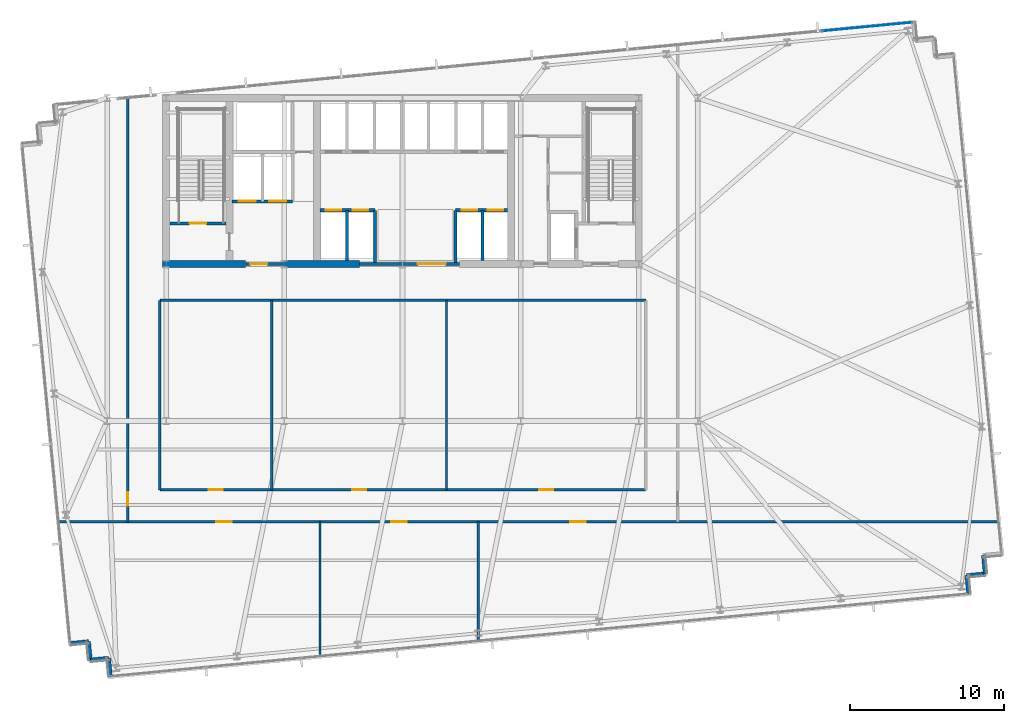
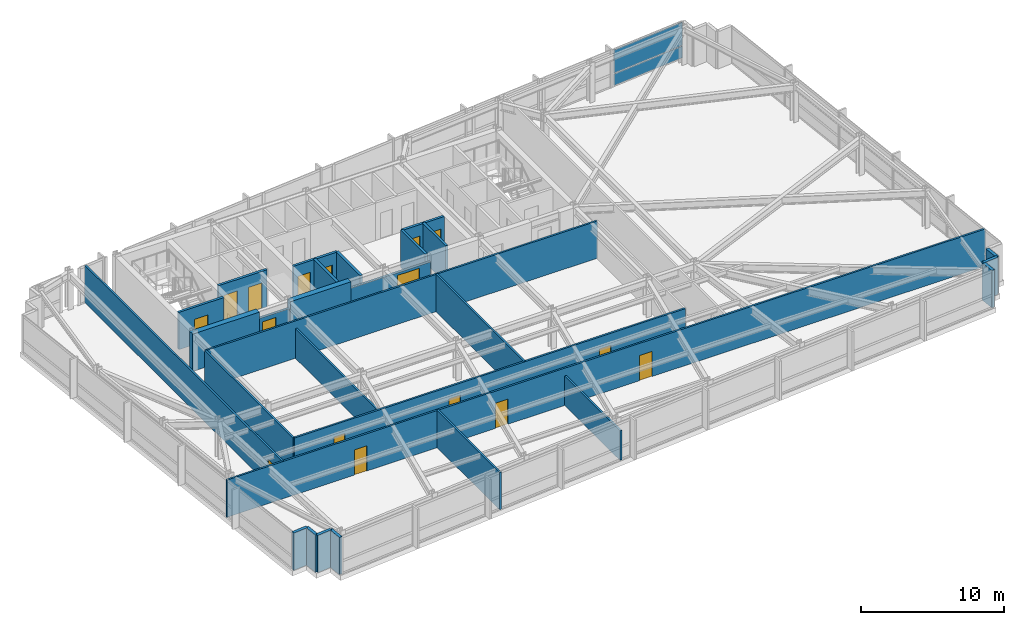
# One storey, part 25 of 33: 28 walls, 16 doors, 2 plates, 16 openings, 1 element without a shape of its own.
"""IFC4 building model written with IfcOpenShell, lengths in metres."""

from ifc_helpers import new_model, si_unit, direction, frame, frame_2d, origin, origin_2d, place, context, subcontext, project, spatial, rectangle, extrude, material, layer, layer_set, type_object, element, fill, aggregate, save


model = new_model("IFC4")

# Units and contexts
model_context = context("Model", 3, precision=1e-05, world=origin(), true_north=direction((0.0, 1.0)))
body_context = subcontext(model_context, "Body", "Model", "MODEL_VIEW")
ifc_project = project(units=[si_unit("LENGTHUNIT", "METRE"), si_unit("AREAUNIT", "SQUARE_METRE"), si_unit("VOLUMEUNIT", "CUBIC_METRE"), si_unit("PLANEANGLEUNIT", "RADIAN"), si_unit("MASSUNIT", "GRAM", prefix="KILO")], contexts=[model_context])

# Site, building, storey
site_placement = place(None, origin())
site = spatial("IfcSite", under=ifc_project, at=site_placement, CompositionType="ELEMENT")
building_placement = place(site_placement, origin())
building = spatial("IfcBuilding", under=site, at=building_placement, Name="Yelkora Congress Tower", CompositionType="ELEMENT")
storey_placement = place(building_placement, frame((0.0, 0.0, 89.699951171875)))
storey = spatial("IfcBuildingStorey", under=building, at=storey_placement, Name="L23", CompositionType="ELEMENT", Elevation=89.699951171875)

# Curtain wall, plates
ifc_material_1 = material(Name="Anodised aluminium and insulated glass", Category="aluminium")
curtain_wall_type = type_object("IfcCurtainWallType", Name="CW-SYS-SKY", PredefinedType="NOTDEFINED", material=ifc_material_1)
curtain_wall_placement = place(storey_placement, origin())
curtain_wall = element("IfcCurtainWall", 1, at=curtain_wall_placement, inside=storey, type_object=curtain_wall_type, Name="L23 Unitised Curtain Wall 10 (3)", PredefinedType="NOTDEFINED")
ifc_material_2 = material(Name="Structural laminated sky-lobby glass", Category="glass")
ifc_layer_1 = layer(ifc_material_2, 0.048095703125)
ifc_layer_set_1 = layer_set([ifc_layer_1], Name="Structural laminated sky-lobby glass")
plate_type = type_object("IfcPlateType", Name="PLT-PN-SKY", PredefinedType="CURTAIN_PANEL", material=ifc_layer_set_1)
plate_1_placement = place(storey_placement, frame((68.6025390625, 50.8251953125, 0.070068359375), z_axis=(0.0, 0.0, 1.0), x_axis=(0.995396225964, 0.095845465919, 0.0)))
plate_1 = element("IfcPlate", 2, at=plate_1_placement, type_object=plate_type, Name="CW-SKY panel 8.1", PredefinedType="CURTAIN_PANEL", context=body_context, shape_type="SweptSolid", body=[
    extrude(rectangle(XDim=5.896728515625, YDim=0.048095703125, at=origin_2d()), origin(), (0.0, 0.0, 1.0), 0.9951171875),
])
plate_2_placement = place(storey_placement, frame((68.6025390625, 50.8251953125, 1.135009765625), z_axis=(0.0, 0.0, 1.0), x_axis=(0.995396225964, 0.095845465919, 0.0)))
plate_2 = element("IfcPlate", 3, at=plate_2_placement, type_object=plate_type, Name="CW-SKY panel 8.2", PredefinedType="CURTAIN_PANEL", context=body_context, shape_type="SweptSolid", body=[
    extrude(rectangle(XDim=5.896728515625, YDim=0.048095703125, at=origin_2d()), origin(), (0.0, 0.0, 1.0), 1.97509765625),
])
aggregate(curtain_wall, [plate_1, plate_2])

# Walls
ifc_material_3 = material(Name="Concrete C60/75", Category="concrete")
ifc_layer_2 = layer(ifc_material_3, 0.449951171875)
ifc_layer_set_2 = layer_set([ifc_layer_2], Name="Concrete C60/75")
wall_type_1 = type_object("IfcWallType", Name="WALL-CORE-INT-450", PredefinedType="SHEAR", material=ifc_layer_set_2)
wall_1_placement = place(storey_placement, frame((22.81494140625, 35.39990234375, 0.0), z_axis=(0.0, 0.0, 1.0), x_axis=(1.0, 0.0, 0.0)))
element("IfcWall", 4, at=wall_1_placement, inside=storey, type_object=wall_type_1, Name="L23 Rear Core South-West Shear Wall", PredefinedType="SHEAR", context=body_context, shape_type="SweptSolid", body=[
    extrude(rectangle(XDim=5.385009765625, YDim=0.449951171875, at=frame_2d((2.6923828125, 0.0))), origin(), (0.0, 0.0, 1.0), 3.179931640625),
])
wall_2_placement = place(storey_placement, frame((30.719970703125, 35.39990234375, 0.0), z_axis=(0.0, 0.0, 1.0), x_axis=(1.0, 0.0, 0.0)))
element("IfcWall", 5, at=wall_2_placement, inside=storey, type_object=wall_type_1, Name="L23 Rear Core South-Center Shear Pier", PredefinedType="SHEAR", context=body_context, shape_type="SweptSolid", body=[
    extrude(rectangle(XDim=4.880126953125, YDim=0.449951171875, at=frame_2d((2.43994140625, 0.0))), origin(), (0.0, 0.0, 1.0), 3.179931640625),
])
ifc_material_4 = material(Name="Concrete C40/50", Category="concrete")
ifc_layer_3 = layer(ifc_material_4, 0.239990234375)
ifc_layer_set_3 = layer_set([ifc_layer_3], Name="Concrete C40/50")
wall_type_2 = type_object("IfcWallType", Name="WALL-EXT-LIMESTONE-240", PredefinedType="SOLIDWALL", material=ifc_layer_set_3)
for number, where, z_axis, x_axis, name in (
    (6, (19.4267578125, 8.597412109375, 0.0), (0.0, 0.0, 1.0), (-0.095817067274, 0.995398960025, 0.0), "L23 Serrated Corner Limestone Pier 1"),
    (7, (19.311767578125, 9.7919921875, 0.0), (0.0, 0.0, 1.0), (-0.995398960025, -0.095817067274, 0.0), "L23 Serrated Corner Limestone Pier 2"),
):
    element("IfcWall", number, at=place(storey_placement, frame(where, z_axis=z_axis, x_axis=x_axis)), inside=storey, type_object=wall_type_2, Name=name, PredefinedType="SOLIDWALL", context=body_context, shape_type="SweptSolid", body=[
        extrude(rectangle(XDim=1.2001953125, YDim=0.239990234375, at=frame_2d((0.60009765625, 0.0))), origin(), (0.0, 0.0, 1.0), 3.179931640625),
    ])
wall_3_placement = place(storey_placement, frame((18.1171875, 9.677001953125, 0.0), z_axis=(0.0, 0.0, 1.0), x_axis=(-0.095836473879, 0.995397091755, 0.0)))
element("IfcWall", 8, at=wall_3_placement, inside=storey, type_object=wall_type_2, Name="L23 Serrated Corner Limestone Pier 3", PredefinedType="SOLIDWALL", context=body_context, shape_type="SweptSolid", body=[
    extrude(rectangle(XDim=1.199951171875, YDim=0.239990234375, at=frame_2d((0.60009765625, 0.0))), origin(), (0.0, 0.0, 1.0), 3.179931640625),
])
for number, where, z_axis, x_axis, name in (
    (9, (18.002197265625, 10.871337890625, 0.0), (0.0, 0.0, 1.0), (-0.995398960025, -0.095817067274, 0.0), "L23 Serrated Corner Limestone Pier 4"),
    (10, (76.1533203125, 16.470703125, 0.0), (0.0, 0.0, 1.0), (0.095817067274, -0.995398960025, 0.0), "L23 Serrated Corner Limestone Pier 17"),
    (11, (76.268310546875, 15.276123046875, 0.0), (0.0, 0.0, 1.0), (-0.995398960025, -0.095817067274, 0.0), "L23 Serrated Corner Limestone Pier 18"),
):
    element("IfcWall", number, at=place(storey_placement, frame(where, z_axis=z_axis, x_axis=x_axis)), inside=storey, type_object=wall_type_2, Name=name, PredefinedType="SOLIDWALL", context=body_context, shape_type="SweptSolid", body=[
        extrude(rectangle(XDim=1.2001953125, YDim=0.239990234375, at=frame_2d((0.60009765625, 0.0))), origin(), (0.0, 0.0, 1.0), 3.179931640625),
    ])
wall_4_placement = place(storey_placement, frame((75.07373046875, 15.1611328125, 0.0), z_axis=(0.0, 0.0, 1.0), x_axis=(0.095836473879, -0.995397091755, 0.0)))
element("IfcWall", 12, at=wall_4_placement, inside=storey, type_object=wall_type_2, Name="L23 Serrated Corner Limestone Pier 19", PredefinedType="SOLIDWALL", context=body_context, shape_type="SweptSolid", body=[
    extrude(rectangle(XDim=1.199951171875, YDim=0.239990234375, at=frame_2d((0.60009765625, 0.0))), origin(), (0.0, 0.0, 1.0), 3.179931640625),
])
ifc_material_5 = material(Name="Acoustic metal-stud gypsum partition", Category="gypsum")
ifc_layer_4 = layer(ifc_material_5, 0.14990234375)
ifc_layer_set_4 = layer_set([ifc_layer_4], Name="Acoustic metal-stud gypsum partition")
wall_type_3 = type_object("IfcWallType", Name="WALL-INT-150-NR", PredefinedType="PARTITIONING", material=ifc_layer_set_4)
wall_5_placement = place(storey_placement, frame((33.037109375, 9.84765625, 0.0), z_axis=(0.0, 0.0, 1.0), x_axis=(0.0, 1.0, 0.0)))
element("IfcWall", 13, at=wall_5_placement, inside=storey, type_object=wall_type_3, Name="L23 Partition Wall 31", PredefinedType="PARTITIONING", context=body_context, shape_type="SweptSolid", body=[
    extrude(rectangle(XDim=8.822265625, YDim=0.14990234375, at=frame_2d((4.4111328125, 0.0))), origin(), (0.0, 0.0, 1.0), 3.179931640625),
])
wall_6_placement = place(storey_placement, frame((43.333984375, 10.839111328125, 0.0), z_axis=(0.0, 0.0, 1.0), x_axis=(0.0, 1.0, 0.0)))
element("IfcWall", 14, at=wall_6_placement, inside=storey, type_object=wall_type_3, Name="L23 Partition Wall 32", PredefinedType="PARTITIONING", context=body_context, shape_type="SweptSolid", body=[
    extrude(rectangle(XDim=7.830810546875, YDim=0.14990234375, at=frame_2d((3.91552734375, 0.0))), origin(), (0.0, 0.0, 1.0), 2.525146484375),
])

# Wall, openings, doors
wall_7_placement = place(storey_placement, frame((15.9873046875, 18.64990234375, 0.0), z_axis=(0.0, 0.0, 1.0), x_axis=(1.0, 0.0, 0.0)))
wall_7 = element("IfcWall", 15, at=wall_7_placement, inside=storey, type_object=wall_type_3, Name="L23 South Spine Wall", PredefinedType="PARTITIONING", context=body_context, shape_type="SweptSolid", body=[
    extrude(rectangle(XDim=61.221923828125, YDim=0.14990234375, at=frame_2d((30.61083984375, 0.0))), origin(), (0.0, 0.0, 1.0), 3.179931640625),
])
opening_1_placement = place(wall_7_placement, frame((10.30615234375, 0.0, 0.0)))
opening_1 = element("IfcOpeningElement", 16, at=opening_1_placement, cuts=wall_7, Name="Opening DR-100N", PredefinedType="OPENING", context=body_context, shape_type="SweptSolid", body=[
    extrude(rectangle(XDim=1.0, YDim=2.14990234375, at=frame_2d((0.5, 1.074951171875))), frame((0.0, 0.0849609375, 0.0), z_axis=(0.0, -1.0, 0.0), x_axis=(1.0, 0.0, 0.0)), (0.0, 0.0, 1.0), 0.169921875),
])
opening_2_placement = place(wall_7_placement, frame((21.697998046875, 0.0, 0.0)))
opening_2 = element("IfcOpeningElement", 17, at=opening_2_placement, cuts=wall_7, Name="Opening DR-100N", PredefinedType="OPENING", context=body_context, shape_type="SweptSolid", body=[
    extrude(rectangle(XDim=1.0, YDim=2.14990234375, at=frame_2d((0.5, 1.074951171875))), frame((0.0, 0.0849609375, 0.0), z_axis=(0.0, -1.0, 0.0), x_axis=(1.0, 0.0, 0.0)), (0.0, 0.0, 1.0), 0.169921875),
])
opening_3_placement = place(wall_7_placement, frame((33.32958984375, 0.0, 0.0)))
opening_3 = element("IfcOpeningElement", 18, at=opening_3_placement, cuts=wall_7, Name="Opening DR-100N", PredefinedType="OPENING", context=body_context, shape_type="SweptSolid", body=[
    extrude(rectangle(XDim=1.0, YDim=2.14990234375, at=frame_2d((0.5, 1.074951171875))), frame((0.0, 0.0849609375, 0.0), z_axis=(0.0, -1.0, 0.0), x_axis=(1.0, 0.0, 0.0)), (0.0, 0.0, 1.0), 0.169921875),
])
ifc_material_6 = material(Name="Solid-core Anatolian oak veneer door", Category="wood")
door_type_1 = type_object("IfcDoorType", Name="DOOR-INT-1000", OperationType="NOTDEFINED", PredefinedType="DOOR", material=ifc_material_6)
door_1_placement = place(opening_1_placement, origin())
door_1 = element("IfcDoor", 19, at=door_1_placement, inside=storey, type_object=door_type_1, Name="L23 Sky Lobby Concourse Door", OperationType="SINGLE_SWING_LEFT", OverallHeight=2.14990234375, OverallWidth=1.0, PredefinedType="DOOR", context=body_context, shape_type="SweptSolid", body=[
    extrude(rectangle(XDim=1.0, YDim=2.14990234375, at=frame_2d((0.5, 1.074951171875))), frame((0.0, 0.02490234375, 0.0), z_axis=(0.0, -1.0, 0.0), x_axis=(1.0, 0.0, 0.0)), (0.0, 0.0, 1.0), 0.050048828125),
])
fill(opening_1, door_1)
door_2_placement = place(opening_2_placement, origin())
door_2 = element("IfcDoor", 20, at=door_2_placement, inside=storey, type_object=door_type_1, Name="L23 Sky Reception Lounge Door", OperationType="SINGLE_SWING_RIGHT", OverallHeight=2.14990234375, OverallWidth=1.0, PredefinedType="DOOR", context=body_context, shape_type="SweptSolid", body=[
    extrude(rectangle(XDim=1.0, YDim=2.14990234375, at=frame_2d((0.5, 1.074951171875))), frame((0.0, 0.02490234375, 0.0), z_axis=(0.0, -1.0, 0.0), x_axis=(1.0, 0.0, 0.0)), (0.0, 0.0, 1.0), 0.050048828125),
])
fill(opening_2, door_2)
door_3_placement = place(opening_3_placement, origin())
door_3 = element("IfcDoor", 21, at=door_3_placement, inside=storey, type_object=door_type_1, Name="L23 Transfer Bar & Kitchenette Door", OperationType="SINGLE_SWING_LEFT", OverallHeight=2.14990234375, OverallWidth=1.0, PredefinedType="DOOR", context=body_context, shape_type="SweptSolid", body=[
    extrude(rectangle(XDim=1.0, YDim=2.14990234375, at=frame_2d((0.5, 1.074951171875))), frame((0.0, 0.02490234375, 0.0), z_axis=(0.0, -1.0, 0.0), x_axis=(1.0, 0.0, 0.0)), (0.0, 0.0, 1.0), 0.050048828125),
])
fill(opening_3, door_3)

# Wall, opening, door
wall_8_placement = place(storey_placement, frame((20.550048828125, 18.64990234375, 0.0), z_axis=(0.0, 0.0, 1.0), x_axis=(0.0, 1.0, 0.0)))
wall_8 = element("IfcWall", 22, at=wall_8_placement, inside=storey, type_object=wall_type_3, Name="L23 Partition Wall 34", PredefinedType="PARTITIONING", context=body_context, shape_type="SweptSolid", body=[
    extrude(rectangle(XDim=27.608642578125, YDim=0.14990234375, at=frame_2d((13.80419921875, 0.0))), origin(), (0.0, 0.0, 1.0), 3.179931640625),
])
opening_4_placement = place(wall_8_placement, frame((1.030029296875, 0.0, 0.0)))
opening_4 = element("IfcOpeningElement", 23, at=opening_4_placement, cuts=wall_8, Name="Opening DR-090N", PredefinedType="OPENING", context=body_context, shape_type="SweptSolid", body=[
    extrude(rectangle(XDim=0.89990234375, YDim=2.14990234375, at=frame_2d((0.449951171875, 1.074951171875))), frame((0.0, 0.0849609375, 0.0), z_axis=(0.0, -1.0, 0.0), x_axis=(1.0, 0.0, 0.0)), (0.0, 0.0, 1.0), 0.169921875),
])
ifc_material_7 = material(Name="Moisture-resistant laminate door leaf", Category="wood")
door_type_2 = type_object("IfcDoorType", Name="DOOR-INT-900", OperationType="NOTDEFINED", PredefinedType="DOOR", material=ifc_material_7)
door_4_placement = place(opening_4_placement, origin())
door_4 = element("IfcDoor", 24, at=door_4_placement, inside=storey, type_object=door_type_2, Name="L23 W Wing Door", OperationType="SINGLE_SWING_RIGHT", OverallHeight=2.14990234375, OverallWidth=0.89990234375, PredefinedType="DOOR", context=body_context, shape_type="SweptSolid", body=[
    extrude(rectangle(XDim=0.89990234375, YDim=2.14990234375, at=frame_2d((0.449951171875, 1.074951171875))), frame((0.0, 0.02490234375, 0.0), z_axis=(0.0, -1.0, 0.0), x_axis=(1.0, 0.0, 0.0)), (0.0, 0.0, 1.0), 0.050048828125),
])
fill(opening_4, door_4)

# Walls
wall_9_placement = place(storey_placement, frame((22.6298828125, 20.72998046875, 0.0), z_axis=(0.0, 0.0, 1.0), x_axis=(0.0, 1.0, 0.0)))
element("IfcWall", 25, at=wall_9_placement, inside=storey, type_object=wall_type_3, Name="L23 Partition Wall 36", PredefinedType="PARTITIONING", context=body_context, shape_type="SweptSolid", body=[
    extrude(rectangle(XDim=12.320068359375, YDim=0.14990234375, at=frame_2d((6.16015625, 0.0))), origin(), (0.0, 0.0, 1.0), 3.179931640625),
])
wall_10_placement = place(storey_placement, frame((22.6298828125, 33.050048828125, 0.0), z_axis=(0.0, 0.0, 1.0), x_axis=(1.0, 0.0, 0.0)))
element("IfcWall", 26, at=wall_10_placement, inside=storey, type_object=wall_type_3, Name="L23 Partition Wall 38", PredefinedType="PARTITIONING", context=body_context, shape_type="SweptSolid", body=[
    extrude(rectangle(XDim=31.590087890625, YDim=0.14990234375, at=frame_2d((15.794921875, 0.0))), origin(), (0.0, 0.0, 1.0), 3.179931640625),
])
wall_11_placement = place(storey_placement, frame((29.90087890625, 20.72998046875, 0.0), z_axis=(0.0, 0.0, 1.0), x_axis=(0.0, 1.0, 0.0)))
element("IfcWall", 27, at=wall_11_placement, inside=storey, type_object=wall_type_3, Name="L23 Partition Wall 39", PredefinedType="PARTITIONING", context=body_context, shape_type="SweptSolid", body=[
    extrude(rectangle(XDim=12.320068359375, YDim=0.14990234375, at=frame_2d((6.16015625, 0.0))), origin(), (0.0, 0.0, 1.0), 2.525146484375),
])
wall_12_placement = place(storey_placement, frame((41.26611328125, 20.72998046875, 0.0), z_axis=(0.0, 0.0, 1.0), x_axis=(0.0, 1.0, 0.0)))
element("IfcWall", 28, at=wall_12_placement, inside=storey, type_object=wall_type_3, Name="L23 Partition Wall 40", PredefinedType="PARTITIONING", context=body_context, shape_type="SweptSolid", body=[
    extrude(rectangle(XDim=12.320068359375, YDim=0.14990234375, at=frame_2d((6.16015625, 0.0))), origin(), (0.0, 0.0, 1.0), 3.179931640625),
])

# Wall, openings, doors
wall_13_placement = place(storey_placement, frame((22.639892578125, 20.72998046875, 0.0), z_axis=(0.0, 0.0, 1.0), x_axis=(1.0, 0.0, 0.0)))
wall_13 = element("IfcWall", 29, at=wall_13_placement, inside=storey, type_object=wall_type_3, Name="L23 Partition Wall 41", PredefinedType="PARTITIONING", context=body_context, shape_type="SweptSolid", body=[
    extrude(rectangle(XDim=31.570068359375, YDim=0.14990234375, at=frame_2d((15.78515625, 0.0))), origin(), (0.0, 0.0, 1.0), 3.179931640625),
])
opening_5_placement = place(wall_13_placement, frame((3.180419921875, 0.0, 0.0)))
opening_5 = element("IfcOpeningElement", 30, at=opening_5_placement, cuts=wall_13, Name="Opening DR-090N", PredefinedType="OPENING", context=body_context, shape_type="SweptSolid", body=[
    extrude(rectangle(XDim=0.89990234375, YDim=2.14990234375, at=frame_2d((0.449951171875, 1.074951171875))), frame((0.0, 0.0849609375, 0.0), z_axis=(0.0, -1.0, 0.0), x_axis=(1.0, 0.0, 0.0)), (0.0, 0.0, 1.0), 0.169921875),
])
opening_6_placement = place(wall_13_placement, frame((12.493408203125, 0.0, 0.0)))
opening_6 = element("IfcOpeningElement", 31, at=opening_6_placement, cuts=wall_13, Name="Opening DR-090N", PredefinedType="OPENING", context=body_context, shape_type="SweptSolid", body=[
    extrude(rectangle(XDim=0.89990234375, YDim=2.14990234375, at=frame_2d((0.449951171875, 1.074951171875))), frame((0.0, 0.0849609375, 0.0), z_axis=(0.0, -1.0, 0.0), x_axis=(1.0, 0.0, 0.0)), (0.0, 0.0, 1.0), 0.169921875),
])
opening_7_placement = place(wall_13_placement, frame((24.64794921875, 0.0, 0.0)))
opening_7 = element("IfcOpeningElement", 32, at=opening_7_placement, cuts=wall_13, Name="Opening DR-090N", PredefinedType="OPENING", context=body_context, shape_type="SweptSolid", body=[
    extrude(rectangle(XDim=0.89990234375, YDim=2.14990234375, at=frame_2d((0.449951171875, 1.074951171875))), frame((0.0, 0.0849609375, 0.0), z_axis=(0.0, -1.0, 0.0), x_axis=(1.0, 0.0, 0.0)), (0.0, 0.0, 1.0), 0.169921875),
])
door_5_placement = place(opening_5_placement, origin())
door_5 = element("IfcDoor", 33, at=door_5_placement, inside=storey, type_object=door_type_2, Name="L23 Catering Servery Kitchen Door", OperationType="SINGLE_SWING_RIGHT", OverallHeight=2.14990234375, OverallWidth=0.89990234375, PredefinedType="DOOR", context=body_context, shape_type="SweptSolid", body=[
    extrude(rectangle(XDim=0.89990234375, YDim=2.14990234375, at=frame_2d((0.449951171875, 1.074951171875))), frame((0.0, 0.02490234375, 0.0), z_axis=(0.0, -1.0, 0.0), x_axis=(1.0, 0.0, 0.0)), (0.0, 0.0, 1.0), 0.050048828125),
])
fill(opening_5, door_5)
door_6_placement = place(opening_6_placement, origin())
door_6 = element("IfcDoor", 34, at=door_6_placement, inside=storey, type_object=door_type_2, Name="L23 Business Concierge Office Door", OperationType="SINGLE_SWING_LEFT", OverallHeight=2.14990234375, OverallWidth=0.89990234375, PredefinedType="DOOR", context=body_context, shape_type="SweptSolid", body=[
    extrude(rectangle(XDim=0.89990234375, YDim=2.14990234375, at=frame_2d((0.449951171875, 1.074951171875))), frame((0.0, 0.02490234375, 0.0), z_axis=(0.0, -1.0, 0.0), x_axis=(1.0, 0.0, 0.0)), (0.0, 0.0, 1.0), 0.050048828125),
])
fill(opening_6, door_6)
door_7_placement = place(opening_7_placement, origin())
door_7 = element("IfcDoor", 35, at=door_7_placement, inside=storey, type_object=door_type_2, Name="L23 Refreshment Galley Door", OperationType="SINGLE_SWING_RIGHT", OverallHeight=2.14990234375, OverallWidth=0.89990234375, PredefinedType="DOOR", context=body_context, shape_type="SweptSolid", body=[
    extrude(rectangle(XDim=0.89990234375, YDim=2.14990234375, at=frame_2d((0.449951171875, 1.074951171875))), frame((0.0, 0.02490234375, 0.0), z_axis=(0.0, -1.0, 0.0), x_axis=(1.0, 0.0, 0.0)), (0.0, 0.0, 1.0), 0.050048828125),
])
fill(opening_7, door_7)

# Wall, opening, door
ifc_material_8 = material(Name="Autoclaved aerated concrete blockwork", Category="masonry")
ifc_layer_5 = layer(ifc_material_8, 0.199951171875)
ifc_layer_set_5 = layer_set([ifc_layer_5], Name="Autoclaved aerated concrete blockwork")
wall_type_4 = type_object("IfcWallType", Name="WALL-INT-200-R120", PredefinedType="PARTITIONING", material=ifc_layer_set_5)
wall_14_placement = place(storey_placement, frame((23.300048828125, 38.050048828125, 0.0), z_axis=(0.0, 0.0, 1.0), x_axis=(1.0, 0.0, 0.0)))
wall_14 = element("IfcWall", 36, at=wall_14_placement, inside=storey, type_object=wall_type_4, Name="L23 Stair ST-01 Enclosure Wall", PredefinedType="PARTITIONING", context=body_context, shape_type="SweptSolid", body=[
    extrude(rectangle(XDim=3.619873046875, YDim=0.199951171875, at=frame_2d((1.81005859375, 0.0))), origin(), (0.0, 0.0, 1.0), 3.179931640625),
])
opening_8_placement = place(wall_14_placement, frame((1.260009765625, 0.0, 0.0)))
opening_8 = element("IfcOpeningElement", 37, at=opening_8_placement, cuts=wall_14, Name="Opening DR-110F9", PredefinedType="OPENING", context=body_context, shape_type="SweptSolid", body=[
    extrude(rectangle(XDim=1.10009765625, YDim=2.14990234375, at=frame_2d((0.550048828125, 1.074951171875))), frame((0.0, 0.10986328125, 0.0), z_axis=(0.0, -1.0, 0.0), x_axis=(1.0, 0.0, 0.0)), (0.0, 0.0, 1.0), 0.219970703125),
])
ifc_material_9 = material(Name="Galvanised steel fire door leaf", Category="steel")
door_type_3 = type_object("IfcDoorType", Name="DOOR-FD90-1100", OperationType="NOTDEFINED", PredefinedType="DOOR", material=ifc_material_9)
door_8_placement = place(opening_8_placement, origin())
door_8 = element("IfcDoor", 38, at=door_8_placement, inside=storey, type_object=door_type_3, Name="L23 Stair ST-01 Entry Door", OperationType="SINGLE_SWING_LEFT", OverallHeight=2.14990234375, OverallWidth=1.10009765625, PredefinedType="DOOR", context=body_context, shape_type="SweptSolid", body=[
    extrude(rectangle(XDim=1.10009765625, YDim=2.14990234375, at=frame_2d((0.550048828125, 1.074951171875))), frame((0.0, 0.02490234375, 0.0), z_axis=(0.0, -1.0, 0.0), x_axis=(1.0, 0.0, 0.0)), (0.0, 0.0, 1.0), 0.050048828125),
])
fill(opening_8, door_8)

wall_15_placement = place(storey_placement, frame((28.219970703125, 35.39990234375, 0.0), z_axis=(0.0, 0.0, 1.0), x_axis=(1.0, 0.0, 0.0)))
wall_15 = element("IfcWall", 39, at=wall_15_placement, inside=storey, type_object=wall_type_4, Name="L23 Firefighting Lobby South Wall", PredefinedType="PARTITIONING", context=body_context, shape_type="SweptSolid", body=[
    extrude(rectangle(XDim=2.5, YDim=0.199951171875, at=frame_2d((1.25, 0.0))), origin(), (0.0, 0.0, 1.0), 2.525146484375),
])
opening_9_placement = place(wall_15_placement, frame((0.300048828125, 0.0, 0.0)))
opening_9 = element("IfcOpeningElement", 40, at=opening_9_placement, cuts=wall_15, Name="Opening DR-110F9", PredefinedType="OPENING", context=body_context, shape_type="SweptSolid", body=[
    extrude(rectangle(XDim=1.10009765625, YDim=2.14990234375, at=frame_2d((0.550048828125, 1.074951171875))), frame((0.0, 0.10986328125, 0.0), z_axis=(0.0, -1.0, 0.0), x_axis=(1.0, 0.0, 0.0)), (0.0, 0.0, 1.0), 0.219970703125),
])
door_9_placement = place(opening_9_placement, origin())
door_9 = element("IfcDoor", 41, at=door_9_placement, inside=storey, type_object=door_type_3, Name="L23 Firefighting Lobby Corridor Door", OperationType="SINGLE_SWING_RIGHT", OverallHeight=2.14990234375, OverallWidth=1.10009765625, PredefinedType="DOOR", context=body_context, shape_type="SweptSolid", body=[
    extrude(rectangle(XDim=1.10009765625, YDim=2.14990234375, at=frame_2d((0.550048828125, 1.074951171875))), frame((0.0, 0.02490234375, 0.0), z_axis=(0.0, -1.0, 0.0), x_axis=(1.0, 0.0, 0.0)), (0.0, 0.0, 1.0), 0.050048828125),
])
fill(opening_9, door_9)

# Wall, openings, doors
wall_16_placement = place(storey_placement, frame((27.320068359375, 39.47998046875, 0.0), z_axis=(0.0, 0.0, 1.0), x_axis=(1.0, 0.0, 0.0)))
wall_16 = element("IfcWall", 42, at=wall_16_placement, inside=storey, type_object=wall_type_4, Name="L23 Firefighting Lift Front Wall", PredefinedType="PARTITIONING", context=body_context, shape_type="SweptSolid", body=[
    extrude(rectangle(XDim=3.93994140625, YDim=0.199951171875, at=frame_2d((1.969970703125, 0.0))), origin(), (0.0, 0.0, 1.0), 3.179931640625),
])
opening_10_placement = place(wall_16_placement, frame((0.449951171875, 0.0, 0.0)))
opening_10 = element("IfcOpeningElement", 43, at=opening_10_placement, cuts=wall_16, Name="Opening LD-FF11", PredefinedType="OPENING", context=body_context, shape_type="SweptSolid", body=[
    extrude(rectangle(XDim=1.10009765625, YDim=2.199951171875, at=frame_2d((0.550048828125, 1.10009765625))), frame((0.0, 0.10986328125, 0.0), z_axis=(0.0, -1.0, 0.0), x_axis=(1.0, 0.0, 0.0)), (0.0, 0.0, 1.0), 0.219970703125),
])
opening_11_placement = place(wall_16_placement, frame((2.409912109375, 0.0, 0.0)))
opening_11 = element("IfcOpeningElement", 44, at=opening_11_placement, cuts=wall_16, Name="Opening LD-FF11", PredefinedType="OPENING", context=body_context, shape_type="SweptSolid", body=[
    extrude(rectangle(XDim=1.10009765625, YDim=2.199951171875, at=frame_2d((0.550048828125, 1.10009765625))), frame((0.0, 0.10986328125, 0.0), z_axis=(0.0, -1.0, 0.0), x_axis=(1.0, 0.0, 0.0)), (0.0, 0.0, 1.0), 0.219970703125),
])
ifc_material_10 = material(Name="Brushed stainless steel 316L landing door", Category="steel")
door_type_4 = type_object("IfcDoorType", Name="DOOR-LIFT-FF-1100", OperationType="DOUBLE_DOOR_SLIDING", PredefinedType="DOOR", material=ifc_material_10)
door_10_placement = place(opening_10_placement, origin())
door_10 = element("IfcDoor", 45, at=door_10_placement, inside=storey, type_object=door_type_4, Name="Lift Landing Door LF-FF1 L23", OperationType="DOUBLE_DOOR_SLIDING", OverallHeight=2.199951171875, OverallWidth=1.10009765625, PredefinedType="DOOR", context=body_context, shape_type="SweptSolid", body=[
    extrude(rectangle(XDim=1.10009765625, YDim=2.199951171875, at=frame_2d((0.550048828125, 1.10009765625))), frame((0.0, 0.02490234375, 0.0), z_axis=(0.0, -1.0, 0.0), x_axis=(1.0, 0.0, 0.0)), (0.0, 0.0, 1.0), 0.050048828125),
])
fill(opening_10, door_10)
door_11_placement = place(opening_11_placement, origin())
door_11 = element("IfcDoor", 46, at=door_11_placement, inside=storey, type_object=door_type_4, Name="Lift Landing Door LF-FF2 L23", OperationType="DOUBLE_DOOR_SLIDING", OverallHeight=2.199951171875, OverallWidth=1.10009765625, PredefinedType="DOOR", context=body_context, shape_type="SweptSolid", body=[
    extrude(rectangle(XDim=1.10009765625, YDim=2.199951171875, at=frame_2d((0.550048828125, 1.10009765625))), frame((0.0, 0.02490234375, 0.0), z_axis=(0.0, -1.0, 0.0), x_axis=(1.0, 0.0, 0.0)), (0.0, 0.0, 1.0), 0.050048828125),
])
fill(opening_11, door_11)

# Wall, opening, door
wall_17_placement = place(storey_placement, frame((35.60009765625, 35.39990234375, 0.0), z_axis=(0.0, 0.0, 1.0), x_axis=(1.0, 0.0, 0.0)))
wall_17 = element("IfcWall", 47, at=wall_17_placement, inside=storey, type_object=wall_type_4, Name="L23 Main Lift Lobby South Portal Wall", PredefinedType="PARTITIONING", context=body_context, shape_type="SweptSolid", body=[
    extrude(rectangle(XDim=6.5, YDim=0.199951171875, at=frame_2d((3.25, 0.0))), origin(), (0.0, 0.0, 1.0), 2.525146484375),
])
opening_12_placement = place(wall_17_placement, frame((3.800048828125, 0.0, 0.0)))
opening_12 = element("IfcOpeningElement", 48, at=opening_12_placement, cuts=wall_17, Name="Opening DR-180D", PredefinedType="OPENING", context=body_context, shape_type="SweptSolid", body=[
    extrude(rectangle(XDim=1.800048828125, YDim=2.300048828125, at=frame_2d((0.89990234375, 1.14990234375))), frame((0.0, 0.10986328125, 0.0), z_axis=(0.0, -1.0, 0.0), x_axis=(1.0, 0.0, 0.0)), (0.0, 0.0, 1.0), 0.219970703125),
])
ifc_material_11 = material(Name="Acoustic double congress hall doors", Category="wood")
door_type_5 = type_object("IfcDoorType", Name="DOOR-DBL-1800", OperationType="DOUBLE_DOOR_SINGLE_SWING", PredefinedType="DOOR", material=ifc_material_11)
door_12_placement = place(opening_12_placement, origin())
door_12 = element("IfcDoor", 49, at=door_12_placement, inside=storey, type_object=door_type_5, Name="L23 Main Lift Lobby Portal Door", OperationType="DOUBLE_DOOR_SINGLE_SWING", OverallHeight=2.300048828125, OverallWidth=1.800048828125, PredefinedType="DOOR", context=body_context, shape_type="SweptSolid", body=[
    extrude(rectangle(XDim=1.800048828125, YDim=2.300048828125, at=frame_2d((0.89990234375, 1.14990234375))), frame((0.0, 0.02490234375, 0.0), z_axis=(0.0, -1.0, 0.0), x_axis=(1.0, 0.0, 0.0)), (0.0, 0.0, 1.0), 0.050048828125),
])
fill(opening_12, door_12)

# Wall, openings, doors
wall_18_placement = place(storey_placement, frame((33.050048828125, 38.89990234375, 0.0), z_axis=(0.0, 0.0, 1.0), x_axis=(1.0, 0.0, 0.0)))
wall_18 = element("IfcWall", 50, at=wall_18_placement, inside=storey, type_object=wall_type_4, Name="L23 Partition Wall 11", PredefinedType="PARTITIONING", context=body_context, shape_type="SweptSolid", body=[
    extrude(rectangle(XDim=3.570068359375, YDim=0.199951171875, at=frame_2d((1.78515625, 0.0))), origin(), (0.0, 0.0, 1.0), 3.179931640625),
])
opening_13_placement = place(wall_18_placement, frame((0.375, 0.0, 0.0)))
opening_13 = element("IfcOpeningElement", 51, at=opening_13_placement, cuts=wall_18, Name="Opening LD-PS10", PredefinedType="OPENING", context=body_context, shape_type="SweptSolid", body=[
    extrude(rectangle(XDim=1.0, YDim=2.199951171875, at=frame_2d((0.5, 1.10009765625))), frame((0.0, 0.10986328125, 0.0), z_axis=(0.0, -1.0, 0.0), x_axis=(1.0, 0.0, 0.0)), (0.0, 0.0, 1.0), 0.219970703125),
])
opening_14_placement = place(wall_18_placement, frame((2.125, 0.0, 0.0)))
opening_14 = element("IfcOpeningElement", 52, at=opening_14_placement, cuts=wall_18, Name="Opening LD-PS10", PredefinedType="OPENING", context=body_context, shape_type="SweptSolid", body=[
    extrude(rectangle(XDim=1.0, YDim=2.199951171875, at=frame_2d((0.5, 1.10009765625))), frame((0.0, 0.10986328125, 0.0), z_axis=(0.0, -1.0, 0.0), x_axis=(1.0, 0.0, 0.0)), (0.0, 0.0, 1.0), 0.219970703125),
])
ifc_material_12 = material(Name="Champagne stainless steel landing door", Category="steel")
door_type_6 = type_object("IfcDoorType", Name="DOOR-LIFT-PAS-1000", OperationType="DOUBLE_DOOR_SLIDING", PredefinedType="DOOR", material=ifc_material_12)
door_13_placement = place(opening_13_placement, origin())
door_13 = element("IfcDoor", 53, at=door_13_placement, inside=storey, type_object=door_type_6, Name="Lift Landing Door LF-P1 L23", OperationType="DOUBLE_DOOR_SLIDING", OverallHeight=2.199951171875, OverallWidth=1.0, PredefinedType="DOOR", context=body_context, shape_type="SweptSolid", body=[
    extrude(rectangle(XDim=1.0, YDim=2.199951171875, at=frame_2d((0.5, 1.10009765625))), frame((0.0, 0.02490234375, 0.0), z_axis=(0.0, -1.0, 0.0), x_axis=(1.0, 0.0, 0.0)), (0.0, 0.0, 1.0), 0.050048828125),
])
fill(opening_13, door_13)
door_14_placement = place(opening_14_placement, origin())
door_14 = element("IfcDoor", 54, at=door_14_placement, inside=storey, type_object=door_type_6, Name="Lift Landing Door LF-P2 L23", OperationType="DOUBLE_DOOR_SLIDING", OverallHeight=2.199951171875, OverallWidth=1.0, PredefinedType="DOOR", context=body_context, shape_type="SweptSolid", body=[
    extrude(rectangle(XDim=1.0, YDim=2.199951171875, at=frame_2d((0.5, 1.10009765625))), frame((0.0, 0.02490234375, 0.0), z_axis=(0.0, -1.0, 0.0), x_axis=(1.0, 0.0, 0.0)), (0.0, 0.0, 1.0), 0.050048828125),
])
fill(opening_14, door_14)

# Walls
wall_19_placement = place(storey_placement, frame((34.800048828125, 35.64990234375, 0.0), z_axis=(0.0, 0.0, 1.0), x_axis=(0.0, 1.0, 0.0)))
element("IfcWall", 55, at=wall_19_placement, inside=storey, type_object=wall_type_4, Name="L23 Partition Wall 13", PredefinedType="PARTITIONING", context=body_context, shape_type="SweptSolid", body=[
    extrude(rectangle(XDim=3.25, YDim=0.199951171875, at=frame_2d((1.625, 0.0))), origin(), (0.0, 0.0, 1.0), 3.179931640625),
])
wall_20_placement = place(storey_placement, frame((36.6201171875, 35.5, 0.0), z_axis=(0.0, 0.0, 1.0), x_axis=(0.0, 1.0, 0.0)))
element("IfcWall", 56, at=wall_20_placement, inside=storey, type_object=wall_type_4, Name="L23 Partition Wall 15", PredefinedType="PARTITIONING", context=body_context, shape_type="SweptSolid", body=[
    extrude(rectangle(XDim=3.39990234375, YDim=0.199951171875, at=frame_2d((1.699951171875, 0.0))), origin(), (0.0, 0.0, 1.0), 3.179931640625),
])

# Wall, openings, doors
wall_21_placement = place(storey_placement, frame((41.85009765625, 38.89990234375, 0.0), z_axis=(0.0, 0.0, 1.0), x_axis=(1.0, 0.0, 0.0)))
wall_21 = element("IfcWall", 57, at=wall_21_placement, inside=storey, type_object=wall_type_4, Name="L23 Partition Wall 17", PredefinedType="PARTITIONING", context=body_context, shape_type="SweptSolid", body=[
    extrude(rectangle(XDim=3.369873046875, YDim=0.199951171875, at=frame_2d((1.68505859375, 0.0))), origin(), (0.0, 0.0, 1.0), 3.179931640625),
])
opening_15_placement = place(wall_21_placement, frame((0.39990234375, 0.0, 0.0)))
opening_15 = element("IfcOpeningElement", 58, at=opening_15_placement, cuts=wall_21, Name="Opening LD-PS10", PredefinedType="OPENING", context=body_context, shape_type="SweptSolid", body=[
    extrude(rectangle(XDim=1.0, YDim=2.199951171875, at=frame_2d((0.5, 1.10009765625))), frame((0.0, 0.10986328125, 0.0), z_axis=(0.0, -1.0, 0.0), x_axis=(1.0, 0.0, 0.0)), (0.0, 0.0, 1.0), 0.219970703125),
])
opening_16_placement = place(wall_21_placement, frame((2.10009765625, 0.0, 0.0)))
opening_16 = element("IfcOpeningElement", 59, at=opening_16_placement, cuts=wall_21, Name="Opening LD-PS10", PredefinedType="OPENING", context=body_context, shape_type="SweptSolid", body=[
    extrude(rectangle(XDim=1.0, YDim=2.199951171875, at=frame_2d((0.5, 1.10009765625))), frame((0.0, 0.10986328125, 0.0), z_axis=(0.0, -1.0, 0.0), x_axis=(1.0, 0.0, 0.0)), (0.0, 0.0, 1.0), 0.219970703125),
])
door_15_placement = place(opening_15_placement, origin())
door_15 = element("IfcDoor", 60, at=door_15_placement, inside=storey, type_object=door_type_6, Name="Lift Landing Door LF-P5 L23", OperationType="DOUBLE_DOOR_SLIDING", OverallHeight=2.199951171875, OverallWidth=1.0, PredefinedType="DOOR", context=body_context, shape_type="SweptSolid", body=[
    extrude(rectangle(XDim=1.0, YDim=2.199951171875, at=frame_2d((0.5, 1.10009765625))), frame((0.0, 0.02490234375, 0.0), z_axis=(0.0, -1.0, 0.0), x_axis=(1.0, 0.0, 0.0)), (0.0, 0.0, 1.0), 0.050048828125),
])
fill(opening_15, door_15)
door_16_placement = place(opening_16_placement, origin())
door_16 = element("IfcDoor", 61, at=door_16_placement, inside=storey, type_object=door_type_6, Name="Lift Landing Door LF-P6 L23", OperationType="DOUBLE_DOOR_SLIDING", OverallHeight=2.199951171875, OverallWidth=1.0, PredefinedType="DOOR", context=body_context, shape_type="SweptSolid", body=[
    extrude(rectangle(XDim=1.0, YDim=2.199951171875, at=frame_2d((0.5, 1.10009765625))), frame((0.0, 0.02490234375, 0.0), z_axis=(0.0, -1.0, 0.0), x_axis=(1.0, 0.0, 0.0)), (0.0, 0.0, 1.0), 0.050048828125),
])
fill(opening_16, door_16)

# Walls
wall_22_placement = place(storey_placement, frame((43.60009765625, 35.64990234375, 0.0), z_axis=(0.0, 0.0, 1.0), x_axis=(0.0, 1.0, 0.0)))
element("IfcWall", 62, at=wall_22_placement, inside=storey, type_object=wall_type_4, Name="L23 Partition Wall 19", PredefinedType="PARTITIONING", context=body_context, shape_type="SweptSolid", body=[
    extrude(rectangle(XDim=3.25, YDim=0.199951171875, at=frame_2d((1.625, 0.0))), origin(), (0.0, 0.0, 1.0), 3.179931640625),
])
wall_23_placement = place(storey_placement, frame((41.85009765625, 35.5, 0.0), z_axis=(0.0, 0.0, 1.0), x_axis=(0.0, 1.0, 0.0)))
element("IfcWall", 63, at=wall_23_placement, inside=storey, type_object=wall_type_4, Name="L23 Partition Wall 21", PredefinedType="PARTITIONING", context=body_context, shape_type="SweptSolid", body=[
    extrude(rectangle(XDim=3.39990234375, YDim=0.199951171875, at=frame_2d((1.699951171875, 0.0))), origin(), (0.0, 0.0, 1.0), 3.179931640625),
])

save(model, "model.ifc")
